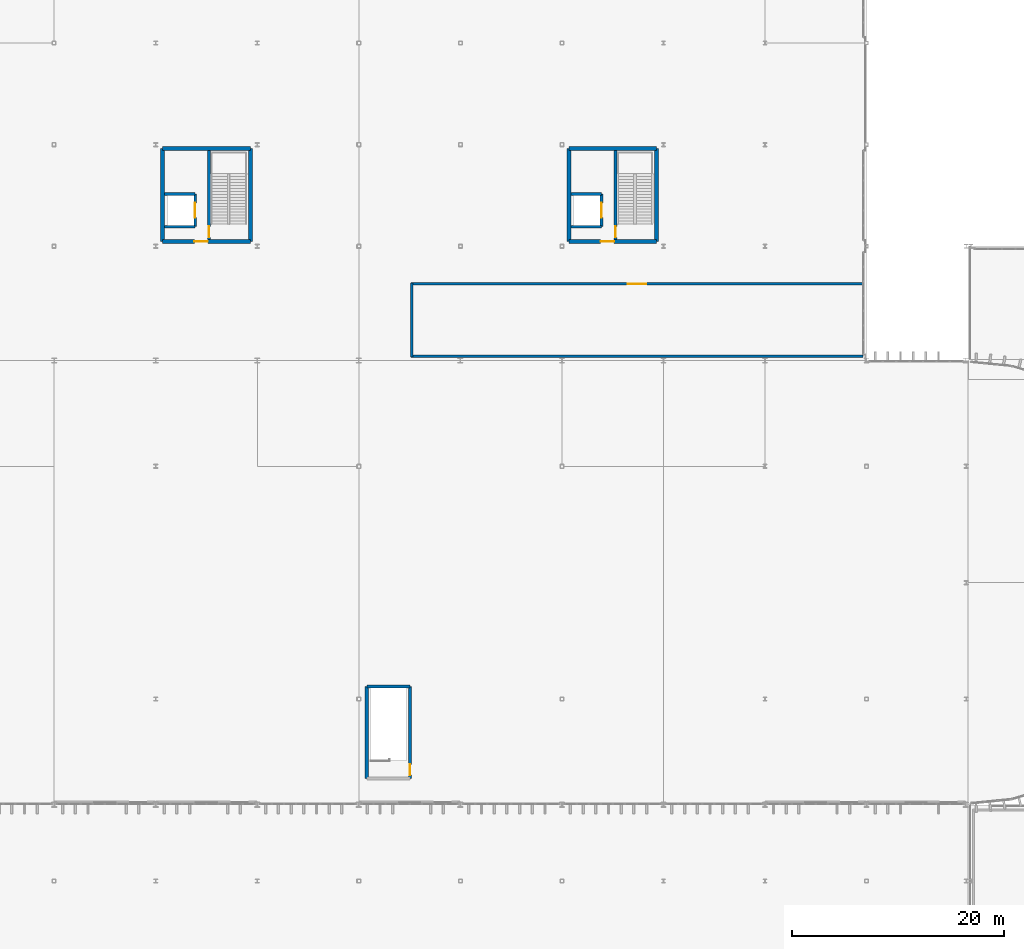
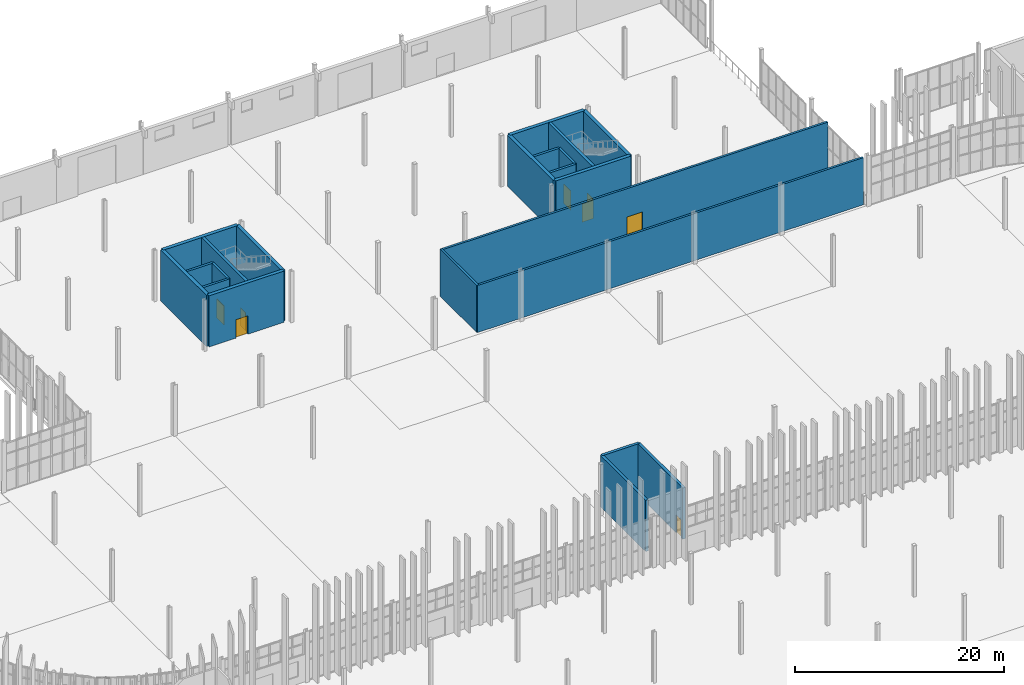
# One storey, part 104 of 139: 22 walls, 8 doors, 8 openings.
"""IFC4 building model written with IfcOpenShell, lengths in metres."""

from ifc_helpers import new_model, si_unit, direction, frame, frame_2d, origin, place, context, subcontext, project, spatial, rectangle, extrude, material, layer, layer_set, type_object, element, fill, save


model = new_model("IFC4")

# Units and contexts
model_context = context("Model", 3, precision=1e-05, world=origin(), true_north=direction((0.0, 1.0)))
body_context = subcontext(model_context, "Body", "Model", "MODEL_VIEW")
ifc_project = project(units=[si_unit("LENGTHUNIT", "METRE"), si_unit("AREAUNIT", "SQUARE_METRE"), si_unit("VOLUMEUNIT", "CUBIC_METRE"), si_unit("PLANEANGLEUNIT", "RADIAN"), si_unit("MASSUNIT", "GRAM", prefix="KILO")], contexts=[model_context])

# Site, building, storey
site_placement = place(None, origin())
site = spatial("IfcSite", under=ifc_project, at=site_placement, CompositionType="ELEMENT")
building_placement = place(site_placement, origin())
building = spatial("IfcBuilding", under=site, at=building_placement, Name="Yeouljin Market Hall", CompositionType="ELEMENT")
storey_placement = place(building_placement, origin())
storey = spatial("IfcBuildingStorey", under=building, at=storey_placement, Name="L00", CompositionType="ELEMENT", Elevation=0.0)

# Wall, opening, door
ifc_material_1 = material(Name="Insulated Cold-Store Panel Assembly")
ifc_layer_1 = layer(ifc_material_1, 0.239990234375)
ifc_layer_set_1 = layer_set([ifc_layer_1], Name="Insulated Cold-Store Panel Assembly")
wall_type_1 = type_object("IfcWallType", Name="Part_ColdStore_240", PredefinedType="PARTITIONING", material=ifc_layer_set_1)
wall_1_placement = place(storey_placement, frame((131.10009765625, 85.25, 0.0), z_axis=(0.0, 0.0, 1.0), x_axis=(-1.0, 0.0, 0.0)))
wall_1 = element("IfcWall", 1, at=wall_1_placement, inside=storey, type_object=wall_type_1, Name="Interior partition PART-L00-0068", PredefinedType="PARTITIONING", context=body_context, shape_type="SweptSolid", body=[
    extrude(rectangle(XDim=42.780029296875, YDim=0.239990234375, at=frame_2d((21.39013671875, 0.0))), origin(), (0.0, 0.0, 1.0), 5.52001953125),
])
opening_1_placement = place(wall_1_placement, frame((20.510009765625, 0.0, 0.0)))
opening_1 = element("IfcOpeningElement", 2, at=opening_1_placement, cuts=wall_1, Name="Opening D-L00-022", PredefinedType="OPENING", context=body_context, shape_type="SweptSolid", body=[
    extrude(rectangle(XDim=1.760009765625, YDim=2.199951171875, at=frame_2d((0.8798828125, 1.10009765625))), frame((0.0, 0.1298828125, 0.0), z_axis=(0.0, -1.0, 0.0), x_axis=(1.0, 0.0, 0.0)), (0.0, 0.0, 1.0), 0.260009765625),
])
ifc_material_2 = material(Name="Painted Fire-Rated Steel", Category="steel")
door_type_1 = type_object("IfcDoorType", Name="DT-FD176", OperationType="NOTDEFINED", PredefinedType="DOOR", material=ifc_material_2)
door_1_placement = place(opening_1_placement, origin())
door_1 = element("IfcDoor", 3, at=door_1_placement, inside=storey, type_object=door_type_1, Name="Interior door D-L00-022 (Cold-Chain Receiving Cold Store)", OperationType="SINGLE_SWING_RIGHT", OverallHeight=2.199951171875, OverallWidth=1.760009765625, PredefinedType="DOOR", context=body_context, shape_type="SweptSolid", body=[
    extrude(rectangle(XDim=1.760009765625, YDim=2.199951171875, at=frame_2d((0.8798828125, 1.10009765625))), frame((0.0, 0.02490234375, 0.0), z_axis=(0.0, -1.0, 0.0), x_axis=(1.0, 0.0, 0.0)), (0.0, 0.0, 1.0), 0.050048828125),
])
fill(opening_1, door_1)

# Walls
wall_2_placement = place(storey_placement, frame((88.320068359375, 78.39990234375, 0.0), z_axis=(0.0, 0.0, 1.0), x_axis=(1.0, 0.0, 0.0)))
element("IfcWall", 4, at=wall_2_placement, inside=storey, type_object=wall_type_1, Name="Interior partition PART-L00-0069", PredefinedType="PARTITIONING", context=body_context, shape_type="SweptSolid", body=[
    extrude(rectangle(XDim=42.760009765625, YDim=0.239990234375, at=frame_2d((21.3798828125, 0.0))), origin(), (0.0, 0.0, 1.0), 5.52001953125),
])
wall_3_placement = place(storey_placement, frame((88.39990234375, 85.330078125, 0.0), z_axis=(0.0, 0.0, 1.0), x_axis=(0.0, -1.0, 0.0)))
element("IfcWall", 5, at=wall_3_placement, inside=storey, type_object=wall_type_1, Name="Interior partition PART-L00-0070", PredefinedType="PARTITIONING", context=body_context, shape_type="SweptSolid", body=[
    extrude(rectangle(XDim=7.010009765625, YDim=0.239990234375, at=frame_2d((3.5048828125, 0.0))), origin(), (0.0, 0.0, 1.0), 5.52001953125),
])

# Wall, opening, door
ifc_material_3 = material(Name="Concrete C35/45", Category="concrete")
ifc_layer_2 = layer(ifc_material_3, 0.260009765625)
ifc_layer_set_2 = layer_set([ifc_layer_2], Name="Concrete C35/45")
wall_type_2 = type_object("IfcWallType", Name="Wall_Compartment_260", PredefinedType="SHEAR", material=ifc_layer_set_2)
wall_4_placement = place(storey_placement, frame((67.929931640625, 90.64990234375, 0.0), z_axis=(0.0, 0.0, 1.0), x_axis=(0.0, 1.0, 0.0)))
wall_4 = element("IfcWall", 6, at=wall_4_placement, inside=storey, type_object=wall_type_2, Name="Lift LG-01 hoistway front wall (L00)", PredefinedType="SHEAR", context=body_context, shape_type="SweptSolid", body=[
    extrude(rectangle(XDim=3.10009765625, YDim=0.260009765625, at=frame_2d((1.550048828125, 0.0))), origin(), (0.0, 0.0, 1.0), 6.0),
])
opening_2_placement = place(wall_4_placement, frame((0.85009765625, 0.0, 0.0)))
opening_2 = element("IfcOpeningElement", 7, at=opening_2_placement, cuts=wall_4, Name="Opening LD-LG-01-L00", PredefinedType="OPENING", context=body_context, shape_type="SweptSolid", body=[
    extrude(rectangle(XDim=1.39990234375, YDim=2.25, at=frame_2d((0.699951171875, 1.125))), frame((0.0, 0.139892578125, 0.0), z_axis=(0.0, -1.0, 0.0), x_axis=(1.0, 0.0, 0.0)), (0.0, 0.0, 1.0), 0.280029296875),
])
ifc_material_4 = material(Name="Brushed Stainless Steel", Category="steel")
door_type_2 = type_object("IfcDoorType", Name="LD-140", OperationType="SLIDING_TO_RIGHT", PredefinedType="DOOR", material=ifc_material_4)
door_2_placement = place(opening_2_placement, origin())
door_2 = element("IfcDoor", 8, at=door_2_placement, inside=storey, type_object=door_type_2, Name="Lift landing sliding door LD-LG-01-L00", OperationType="SLIDING_TO_LEFT", OverallHeight=2.25, OverallWidth=1.39990234375, PredefinedType="DOOR", context=body_context, shape_type="SweptSolid", body=[
    extrude(rectangle(XDim=1.39990234375, YDim=2.25, at=frame_2d((0.699951171875, 1.125))), frame((0.0, 0.02490234375, 0.0), z_axis=(0.0, -1.0, 0.0), x_axis=(1.0, 0.0, 0.0)), (0.0, 0.0, 1.0), 0.050048828125),
])
fill(opening_2, door_2)

# Walls
for number, where, z_axis, x_axis, name in (
    (9, (65.050048828125, 90.64990234375, 0.0), (0.0, 0.0, 1.0), (1.0, 0.0, 0.0), "Lift LG-01 shaft cheek wall S (L00)"),
    (10, (65.050048828125, 93.75, 0.0), (0.0, 0.0, 1.0), (1.0, 0.0, 0.0), "Lift LG-01 shaft cheek wall N (L00)"),
):
    element("IfcWall", number, at=place(storey_placement, frame(where, z_axis=z_axis, x_axis=x_axis)), inside=storey, type_object=wall_type_2, Name=name, PredefinedType="SHEAR", context=body_context, shape_type="SweptSolid", body=[
        extrude(rectangle(XDim=2.8798828125, YDim=0.260009765625, at=frame_2d((1.43994140625, 0.0))), origin(), (0.0, 0.0, 1.0), 6.0),
    ])

# Wall, opening, door
wall_5_placement = place(storey_placement, frame((106.330078125, 90.64990234375, 0.0), z_axis=(0.0, 0.0, 1.0), x_axis=(0.0, 1.0, 0.0)))
wall_5 = element("IfcWall", 11, at=wall_5_placement, inside=storey, type_object=wall_type_2, Name="Lift LG-02 hoistway front wall (L00)", PredefinedType="SHEAR", context=body_context, shape_type="SweptSolid", body=[
    extrude(rectangle(XDim=3.10009765625, YDim=0.260009765625, at=frame_2d((1.550048828125, 0.0))), origin(), (0.0, 0.0, 1.0), 6.0),
])
opening_3_placement = place(wall_5_placement, frame((0.85009765625, 0.0, 0.0)))
opening_3 = element("IfcOpeningElement", 12, at=opening_3_placement, cuts=wall_5, Name="Opening LD-LG-02-L00", PredefinedType="OPENING", context=body_context, shape_type="SweptSolid", body=[
    extrude(rectangle(XDim=1.39990234375, YDim=2.25, at=frame_2d((0.699951171875, 1.125))), frame((0.0, 0.139892578125, 0.0), z_axis=(0.0, -1.0, 0.0), x_axis=(1.0, 0.0, 0.0)), (0.0, 0.0, 1.0), 0.280029296875),
])
door_3_placement = place(opening_3_placement, origin())
door_3 = element("IfcDoor", 13, at=door_3_placement, inside=storey, type_object=door_type_2, Name="Lift landing sliding door LD-LG-02-L00", OperationType="SLIDING_TO_RIGHT", OverallHeight=2.25, OverallWidth=1.39990234375, PredefinedType="DOOR", context=body_context, shape_type="SweptSolid", body=[
    extrude(rectangle(XDim=1.39990234375, YDim=2.25, at=frame_2d((0.699951171875, 1.125))), frame((0.0, 0.02490234375, 0.0), z_axis=(0.0, -1.0, 0.0), x_axis=(1.0, 0.0, 0.0)), (0.0, 0.0, 1.0), 0.050048828125),
])
fill(opening_3, door_3)

# Walls
for number, where, z_axis, x_axis, name in (
    (14, (103.449951171875, 90.64990234375, 0.0), (0.0, 0.0, 1.0), (1.0, 0.0, 0.0), "Lift LG-02 shaft cheek wall S (L00)"),
    (15, (103.449951171875, 93.75, 0.0), (0.0, 0.0, 1.0), (1.0, 0.0, 0.0), "Lift LG-02 shaft cheek wall N (L00)"),
):
    element("IfcWall", number, at=place(storey_placement, frame(where, z_axis=z_axis, x_axis=x_axis)), inside=storey, type_object=wall_type_2, Name=name, PredefinedType="SHEAR", context=body_context, shape_type="SweptSolid", body=[
        extrude(rectangle(XDim=2.880126953125, YDim=0.260009765625, at=frame_2d((1.43994140625, 0.0))), origin(), (0.0, 0.0, 1.0), 6.0),
    ])

# Wall, opening, door
ifc_material_5 = material(Name="Concrete C35/45", Category="concrete")
ifc_layer_3 = layer(ifc_material_5, 0.3798828125)
ifc_layer_set_3 = layer_set([ifc_layer_3], Name="Concrete C35/45")
wall_type_3 = type_object("IfcWallType", Name="Wall_CoreShear_380", PredefinedType="SHEAR", material=ifc_layer_set_3)
wall_6_placement = place(storey_placement, frame((64.85009765625, 89.25, 0.0), z_axis=(0.0, 0.0, 1.0), x_axis=(1.0, 0.0, 0.0)))
wall_6 = element("IfcWall", 16, at=wall_6_placement, inside=storey, type_object=wall_type_3, Name="Core C5 south shear wall (L00)", PredefinedType="SHEAR", context=body_context, shape_type="SweptSolid", body=[
    extrude(rectangle(XDim=8.2998046875, YDim=0.3798828125, at=frame_2d((4.14990234375, 0.0))), origin(), (0.0, 0.0, 1.0), 6.0),
])
opening_4_placement = place(wall_6_placement, frame((3.0, 0.0, 0.0)))
opening_4 = element("IfcOpeningElement", 17, at=opening_4_placement, cuts=wall_6, Name="Opening FD-C5-L00-01", PredefinedType="OPENING", context=body_context, shape_type="SweptSolid", body=[
    extrude(rectangle(XDim=1.280029296875, YDim=2.14990234375, at=frame_2d((0.64013671875, 1.074951171875))), frame((0.0, 0.199951171875, 0.0), z_axis=(0.0, -1.0, 0.0), x_axis=(1.0, 0.0, 0.0)), (0.0, 0.0, 1.0), 0.39990234375),
])
ifc_material_6 = material(Name="Painted Fire-Rated Steel", Category="steel")
door_type_3 = type_object("IfcDoorType", Name="DT-FD128", OperationType="NOTDEFINED", PredefinedType="DOOR", material=ifc_material_6)
door_4_placement = place(opening_4_placement, origin())
door_4 = element("IfcDoor", 18, at=door_4_placement, inside=storey, type_object=door_type_3, Name="Core C5 lobby fire door (L00)", OperationType="SINGLE_SWING_LEFT", OverallHeight=2.14990234375, OverallWidth=1.280029296875, PredefinedType="DOOR", context=body_context, shape_type="SweptSolid", body=[
    extrude(rectangle(XDim=1.280029296875, YDim=2.14990234375, at=frame_2d((0.64013671875, 1.074951171875))), frame((0.0, 0.02490234375, 0.0), z_axis=(0.0, -1.0, 0.0), x_axis=(1.0, 0.0, 0.0)), (0.0, 0.0, 1.0), 0.050048828125),
])
fill(opening_4, door_4)

# Walls
wall_7_placement = place(storey_placement, frame((73.14990234375, 98.050048828125, 0.0), z_axis=(0.0, 0.0, 1.0), x_axis=(-1.0, 0.0, 0.0)))
element("IfcWall", 19, at=wall_7_placement, inside=storey, type_object=wall_type_3, Name="Core C5 north shear wall (L00)", PredefinedType="SHEAR", context=body_context, shape_type="SweptSolid", body=[
    extrude(rectangle(XDim=8.2998046875, YDim=0.3798828125, at=frame_2d((4.14990234375, 0.0))), origin(), (0.0, 0.0, 1.0), 6.0),
])
for number, where, z_axis, x_axis, name in (
    (20, (64.85009765625, 98.050048828125, 0.0), (0.0, 0.0, 1.0), (0.0, -1.0, 0.0), "Core C5 west shear wall (L00)"),
    (21, (73.14990234375, 89.25, 0.0), (0.0, 0.0, 1.0), (0.0, 1.0, 0.0), "Core C5 east shear wall (L00)"),
):
    element("IfcWall", number, at=place(storey_placement, frame(where, z_axis=z_axis, x_axis=x_axis)), inside=storey, type_object=wall_type_3, Name=name, PredefinedType="SHEAR", context=body_context, shape_type="SweptSolid", body=[
        extrude(rectangle(XDim=8.800048828125, YDim=0.3798828125, at=frame_2d((4.39990234375, 0.0))), origin(), (0.0, 0.0, 1.0), 6.0),
    ])

# Wall, opening, door
wall_8_placement = place(storey_placement, frame((103.25, 89.25, 0.0), z_axis=(0.0, 0.0, 1.0), x_axis=(1.0, 0.0, 0.0)))
wall_8 = element("IfcWall", 22, at=wall_8_placement, inside=storey, type_object=wall_type_3, Name="Core C6 south shear wall (L00)", PredefinedType="SHEAR", context=body_context, shape_type="SweptSolid", body=[
    extrude(rectangle(XDim=8.300048828125, YDim=0.3798828125, at=frame_2d((4.14990234375, 0.0))), origin(), (0.0, 0.0, 1.0), 6.0),
])
opening_5_placement = place(wall_8_placement, frame((3.0, 0.0, 0.0)))
opening_5 = element("IfcOpeningElement", 23, at=opening_5_placement, cuts=wall_8, Name="Opening FD-C6-L00-01", PredefinedType="OPENING", context=body_context, shape_type="SweptSolid", body=[
    extrude(rectangle(XDim=1.280029296875, YDim=2.14990234375, at=frame_2d((0.64013671875, 1.074951171875))), frame((0.0, 0.199951171875, 0.0), z_axis=(0.0, -1.0, 0.0), x_axis=(1.0, 0.0, 0.0)), (0.0, 0.0, 1.0), 0.39990234375),
])
door_5_placement = place(opening_5_placement, origin())
door_5 = element("IfcDoor", 24, at=door_5_placement, inside=storey, type_object=door_type_3, Name="Core C6 lobby fire door (L00)", OperationType="SINGLE_SWING_LEFT", OverallHeight=2.14990234375, OverallWidth=1.280029296875, PredefinedType="DOOR", context=body_context, shape_type="SweptSolid", body=[
    extrude(rectangle(XDim=1.280029296875, YDim=2.14990234375, at=frame_2d((0.64013671875, 1.074951171875))), frame((0.0, 0.02490234375, 0.0), z_axis=(0.0, -1.0, 0.0), x_axis=(1.0, 0.0, 0.0)), (0.0, 0.0, 1.0), 0.050048828125),
])
fill(opening_5, door_5)

# Walls
wall_9_placement = place(storey_placement, frame((111.550048828125, 98.050048828125, 0.0), z_axis=(0.0, 0.0, 1.0), x_axis=(-1.0, 0.0, 0.0)))
element("IfcWall", 25, at=wall_9_placement, inside=storey, type_object=wall_type_3, Name="Core C6 north shear wall (L00)", PredefinedType="SHEAR", context=body_context, shape_type="SweptSolid", body=[
    extrude(rectangle(XDim=8.300048828125, YDim=0.3798828125, at=frame_2d((4.14990234375, 0.0))), origin(), (0.0, 0.0, 1.0), 6.0),
])
for number, where, z_axis, x_axis, name in (
    (26, (103.25, 98.050048828125, 0.0), (0.0, 0.0, 1.0), (0.0, -1.0, 0.0), "Core C6 west shear wall (L00)"),
    (27, (111.550048828125, 89.25, 0.0), (0.0, 0.0, 1.0), (0.0, 1.0, 0.0), "Core C6 east shear wall (L00)"),
):
    element("IfcWall", number, at=place(storey_placement, frame(where, z_axis=z_axis, x_axis=x_axis)), inside=storey, type_object=wall_type_3, Name=name, PredefinedType="SHEAR", context=body_context, shape_type="SweptSolid", body=[
        extrude(rectangle(XDim=8.800048828125, YDim=0.3798828125, at=frame_2d((4.39990234375, 0.0))), origin(), (0.0, 0.0, 1.0), 6.0),
    ])

# Wall, opening, door
ifc_material_7 = material(Name="Concrete C35/45", Category="concrete")
ifc_layer_4 = layer(ifc_material_7, 0.300048828125)
ifc_layer_set_4 = layer_set([ifc_layer_4], Name="Concrete C35/45")
wall_type_4 = type_object("IfcWallType", Name="Wall_ShaftShear_300", PredefinedType="SHEAR", material=ifc_layer_set_4)
wall_10_placement = place(storey_placement, frame((69.25, 89.449951171875, 0.0), z_axis=(0.0, 0.0, 1.0), x_axis=(0.0, 1.0, 0.0)))
wall_10 = element("IfcWall", 28, at=wall_10_placement, inside=storey, type_object=wall_type_4, Name="Core C5 stairwell divider wall (L00)", PredefinedType="SHEAR", context=body_context, shape_type="SweptSolid", body=[
    extrude(rectangle(XDim=8.400146484375, YDim=0.300048828125, at=frame_2d((4.2001953125, 0.0))), origin(), (0.0, 0.0, 1.0), 6.0),
])
opening_6_placement = place(wall_10_placement, frame((0.199951171875, 0.0, 0.0)))
opening_6 = element("IfcOpeningElement", 29, at=opening_6_placement, cuts=wall_10, Name="Opening SD-C5-L00", PredefinedType="OPENING", context=body_context, shape_type="SweptSolid", body=[
    extrude(rectangle(XDim=1.02001953125, YDim=2.10009765625, at=frame_2d((0.510009765625, 1.050048828125))), frame((0.0, 0.159912109375, 0.0), z_axis=(0.0, -1.0, 0.0), x_axis=(1.0, 0.0, 0.0)), (0.0, 0.0, 1.0), 0.320068359375),
])
ifc_material_8 = material(Name="Painted Fire-Rated Steel", Category="steel")
door_type_4 = type_object("IfcDoorType", Name="DT-FD102", OperationType="NOTDEFINED", PredefinedType="DOOR", material=ifc_material_8)
door_6_placement = place(opening_6_placement, origin())
door_6 = element("IfcDoor", 30, at=door_6_placement, inside=storey, type_object=door_type_4, Name="Core C5 exit stair door (L00)", OperationType="SINGLE_SWING_RIGHT", OverallHeight=2.10009765625, OverallWidth=1.02001953125, PredefinedType="DOOR", context=body_context, shape_type="SweptSolid", body=[
    extrude(rectangle(XDim=1.02001953125, YDim=2.10009765625, at=frame_2d((0.510009765625, 1.050048828125))), frame((0.0, 0.02490234375, 0.0), z_axis=(0.0, -1.0, 0.0), x_axis=(1.0, 0.0, 0.0)), (0.0, 0.0, 1.0), 0.050048828125),
])
fill(opening_6, door_6)

wall_11_placement = place(storey_placement, frame((107.64990234375, 89.449951171875, 0.0), z_axis=(0.0, 0.0, 1.0), x_axis=(0.0, 1.0, 0.0)))
wall_11 = element("IfcWall", 31, at=wall_11_placement, inside=storey, type_object=wall_type_4, Name="Core C6 stairwell divider wall (L00)", PredefinedType="SHEAR", context=body_context, shape_type="SweptSolid", body=[
    extrude(rectangle(XDim=8.400146484375, YDim=0.300048828125, at=frame_2d((4.2001953125, 0.0))), origin(), (0.0, 0.0, 1.0), 6.0),
])
opening_7_placement = place(wall_11_placement, frame((0.199951171875, 0.0, 0.0)))
opening_7 = element("IfcOpeningElement", 32, at=opening_7_placement, cuts=wall_11, Name="Opening SD-C6-L00", PredefinedType="OPENING", context=body_context, shape_type="SweptSolid", body=[
    extrude(rectangle(XDim=1.02001953125, YDim=2.10009765625, at=frame_2d((0.510009765625, 1.050048828125))), frame((0.0, 0.159912109375, 0.0), z_axis=(0.0, -1.0, 0.0), x_axis=(1.0, 0.0, 0.0)), (0.0, 0.0, 1.0), 0.320068359375),
])
door_7_placement = place(opening_7_placement, origin())
door_7 = element("IfcDoor", 33, at=door_7_placement, inside=storey, type_object=door_type_4, Name="Core C6 exit stair door (L00)", OperationType="SINGLE_SWING_RIGHT", OverallHeight=2.10009765625, OverallWidth=1.02001953125, PredefinedType="DOOR", context=body_context, shape_type="SweptSolid", body=[
    extrude(rectangle(XDim=1.02001953125, YDim=2.10009765625, at=frame_2d((0.510009765625, 1.050048828125))), frame((0.0, 0.02490234375, 0.0), z_axis=(0.0, -1.0, 0.0), x_axis=(1.0, 0.0, 0.0)), (0.0, 0.0, 1.0), 0.050048828125),
])
fill(opening_7, door_7)

# Walls
wall_12_placement = place(storey_placement, frame((88.25, 47.199951171875, 0.0), z_axis=(0.0, 0.0, 1.0), x_axis=(-1.0, 0.0, 0.0)))
element("IfcWall", 34, at=wall_12_placement, inside=storey, type_object=wall_type_4, Name="Core S9 north shear wall (L00)", PredefinedType="SHEAR", context=body_context, shape_type="SweptSolid", body=[
    extrude(rectangle(XDim=4.10009765625, YDim=0.300048828125, at=frame_2d((2.050048828125, 0.0))), origin(), (0.0, 0.0, 1.0), 6.0),
])
wall_13_placement = place(storey_placement, frame((84.14990234375, 47.199951171875, 0.0), z_axis=(0.0, 0.0, 1.0), x_axis=(0.0, -1.0, 0.0)))
element("IfcWall", 35, at=wall_13_placement, inside=storey, type_object=wall_type_4, Name="Core S9 west shear wall (L00)", PredefinedType="SHEAR", context=body_context, shape_type="SweptSolid", body=[
    extrude(rectangle(XDim=8.699951171875, YDim=0.300048828125, at=frame_2d((4.35009765625, 0.0))), origin(), (0.0, 0.0, 1.0), 6.0),
])

# Wall, opening, door
wall_14_placement = place(storey_placement, frame((88.25, 38.5, 0.0), z_axis=(0.0, 0.0, 1.0), x_axis=(0.0, 1.0, 0.0)))
wall_14 = element("IfcWall", 36, at=wall_14_placement, inside=storey, type_object=wall_type_4, Name="Core S9 east shear wall (L00)", PredefinedType="SHEAR", context=body_context, shape_type="SweptSolid", body=[
    extrude(rectangle(XDim=8.699951171875, YDim=0.300048828125, at=frame_2d((4.35009765625, 0.0))), origin(), (0.0, 0.0, 1.0), 6.0),
])
opening_8_placement = place(wall_14_placement, frame((0.300048828125, 0.0, 0.0)))
opening_8 = element("IfcOpeningElement", 37, at=opening_8_placement, cuts=wall_14, Name="Opening SD-S9-L00", PredefinedType="OPENING", context=body_context, shape_type="SweptSolid", body=[
    extrude(rectangle(XDim=1.02001953125, YDim=2.10009765625, at=frame_2d((0.510009765625, 1.050048828125))), frame((0.0, 0.159912109375, 0.0), z_axis=(0.0, -1.0, 0.0), x_axis=(1.0, 0.0, 0.0)), (0.0, 0.0, 1.0), 0.320068359375),
])
door_8_placement = place(opening_8_placement, origin())
door_8 = element("IfcDoor", 38, at=door_8_placement, inside=storey, type_object=door_type_4, Name="Escape stair S9 fire door (L00)", OperationType="SINGLE_SWING_RIGHT", OverallHeight=2.10009765625, OverallWidth=1.02001953125, PredefinedType="DOOR", context=body_context, shape_type="SweptSolid", body=[
    extrude(rectangle(XDim=1.02001953125, YDim=2.10009765625, at=frame_2d((0.510009765625, 1.050048828125))), frame((0.0, 0.02490234375, 0.0), z_axis=(0.0, -1.0, 0.0), x_axis=(1.0, 0.0, 0.0)), (0.0, 0.0, 1.0), 0.050048828125),
])
fill(opening_8, door_8)

save(model, "model.ifc")
